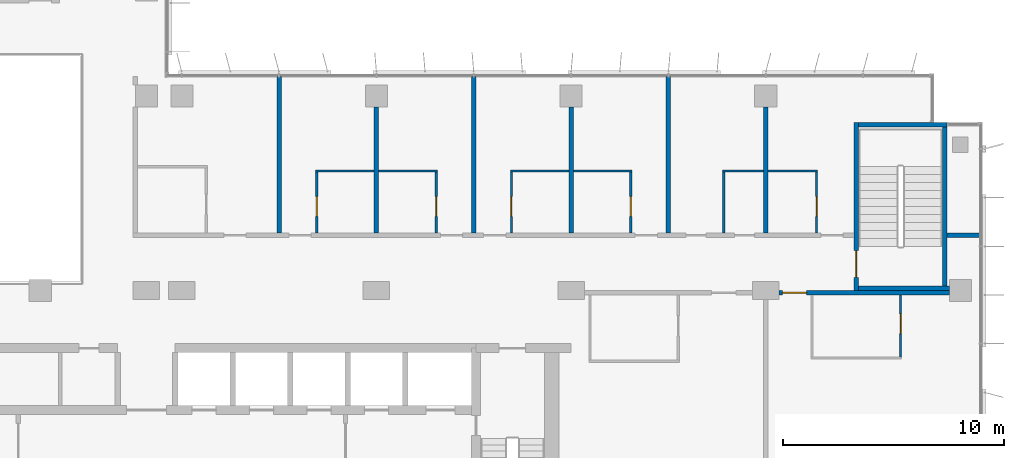
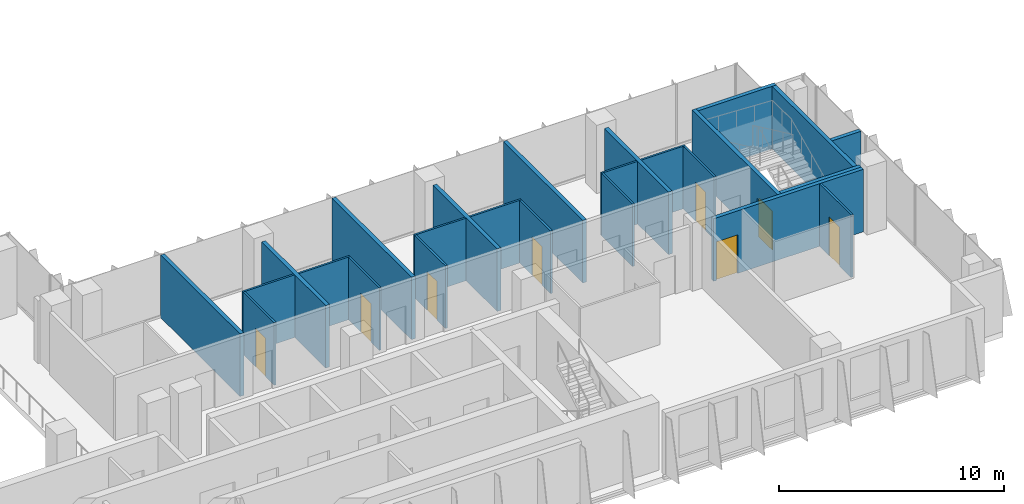
# One storey, part 15 of 21: 25 walls, 8 doors, 8 openings.
"""IFC4 building model written with IfcOpenShell, lengths in metres."""

from ifc_helpers import new_model, si_unit, direction, frame, frame_2d, origin, place, context, subcontext, project, spatial, rectangle, extrude, material, layer, layer_set, type_object, element, fill, save


model = new_model("IFC4")

# Units and contexts
model_context = context("Model", 3, precision=1e-05, world=origin(), true_north=direction((0.0, 1.0)))
body_context = subcontext(model_context, "Body", "Model", "MODEL_VIEW")
ifc_project = project(units=[si_unit("LENGTHUNIT", "METRE"), si_unit("AREAUNIT", "SQUARE_METRE"), si_unit("VOLUMEUNIT", "CUBIC_METRE"), si_unit("PLANEANGLEUNIT", "RADIAN"), si_unit("MASSUNIT", "GRAM", prefix="KILO")], contexts=[model_context])

# Site, building, storey
site_placement = place(None, origin())
site = spatial("IfcSite", under=ifc_project, at=site_placement, CompositionType="ELEMENT")
building_placement = place(site_placement, origin())
building = spatial("IfcBuilding", under=site, at=building_placement, Name="Kemantara Hotel Tower", CompositionType="ELEMENT")
storey_placement = place(building_placement, frame((0.0, 0.0, 215.39990234375)))
storey = spatial("IfcBuildingStorey", under=building, at=storey_placement, Name="L53", CompositionType="ELEMENT", Elevation=215.39990234375)

# Wall, opening, door
ifc_material_1 = material(Name="Gypsum board partition, steel studs and mineral wool, 200 mm", Category="steel")
ifc_layer_1 = layer(ifc_material_1, 0.199951171875)
ifc_layer_set_1 = layer_set([ifc_layer_1], Name="Gypsum board partition, steel studs and mineral wool, 200 mm")
wall_type_1 = type_object("IfcWallType", Name="CORRIDOR WALL 200", PredefinedType="PARTITIONING", material=ifc_layer_set_1)
wall_1_placement = place(storey_placement, frame((62.099853515625, 12.10009765625, 0.0), z_axis=(0.0, 0.0, 1.0), x_axis=(-1.0, 0.0, 0.0)))
wall_1 = element("IfcWall", 1, at=wall_1_placement, inside=storey, type_object=wall_type_1, Name="CORRIDOR WALL 200 002", PredefinedType="PARTITIONING", context=body_context, shape_type="SweptSolid", body=[
    extrude(rectangle(XDim=7.69970703125, YDim=0.199951171875, at=frame_2d((3.849853515625, 0.0))), origin(), (0.0, 0.0, 1.0), 3.400146484375),
])
opening_1_placement = place(wall_1_placement, frame((6.449951171875, 0.0, 0.0)))
opening_1 = element("IfcOpeningElement", 2, at=opening_1_placement, cuts=wall_1, Name="Opening F26-003", PredefinedType="OPENING", context=body_context, shape_type="SweptSolid", body=[
    extrude(rectangle(XDim=1.10009765625, YDim=2.10009765625, at=frame_2d((0.550048828125, 1.050048828125))), frame((0.0, 0.10986328125, 0.0), z_axis=(0.0, -1.0, 0.0), x_axis=(1.0, 0.0, 0.0)), (0.0, 0.0, 1.0), 0.219970703125),
])
ifc_material_2 = material(Name="Hardwood veneer door leaf with steel frame", Category="steel")
door_type_1 = type_object("IfcDoorType", Name="SUITE ENTRANCE DOOR 1100 X 2100 FD30S", OperationType="NOTDEFINED", PredefinedType="DOOR", material=ifc_material_2)
door_1_placement = place(opening_1_placement, origin())
door_1 = element("IfcDoor", 3, at=door_1_placement, inside=storey, type_object=door_type_1, Name="SUITE ENTRANCE DOOR F26-003", OperationType="SINGLE_SWING_LEFT", OverallHeight=2.10009765625, OverallWidth=1.10009765625, PredefinedType="DOOR", context=body_context, shape_type="SweptSolid", body=[
    extrude(rectangle(XDim=1.10009765625, YDim=2.10009765625, at=frame_2d((0.550048828125, 1.050048828125))), frame((0.0, 0.02490234375, 0.0), z_axis=(0.0, -1.0, 0.0), x_axis=(1.0, 0.0, 0.0)), (0.0, 0.0, 1.0), 0.050048828125),
])
fill(opening_1, door_1)

# Wall
wall_2_placement = place(storey_placement, frame((62.0, 14.699951171875, 0.0), z_axis=(0.0, 0.0, 1.0), x_axis=(1.0, 0.0, 0.0)))
element("IfcWall", 4, at=wall_2_placement, inside=storey, type_object=wall_type_1, Name="CORRIDOR WALL 200 006", PredefinedType="PARTITIONING", context=body_context, shape_type="SweptSolid", body=[
    extrude(rectangle(XDim=1.47998046875, YDim=0.199951171875, at=frame_2d((0.739990234375, 0.0))), origin(), (0.0, 0.0, 1.0), 3.400146484375),
])

# Wall, opening, door
ifc_material_3 = material(Name="Concrete fc 40 MPa", Category="concrete")
ifc_layer_2 = layer(ifc_material_3, 0.199951171875)
ifc_layer_set_2 = layer_set([ifc_layer_2], Name="Concrete fc 40 MPa")
wall_type_2 = type_object("IfcWallType", Name="Concrete stair wall 200 mm", PredefinedType="SHEAR", material=ifc_layer_set_2)
wall_3_placement = place(storey_placement, frame((57.89990234375, 12.199951171875, 0.0), z_axis=(0.0, 0.0, 1.0), x_axis=(0.0, 1.0, 0.0)))
wall_3 = element("IfcWall", 5, at=wall_3_placement, inside=storey, type_object=wall_type_2, Name="Stair ST3 enclosure wall with door", PredefinedType="SHEAR", context=body_context, shape_type="SweptSolid", body=[
    extrude(rectangle(XDim=7.60009765625, YDim=0.199951171875, at=frame_2d((3.800048828125, 0.0))), origin(), (0.0, 0.0, 1.0), 3.400146484375),
])
opening_2_placement = place(wall_3_placement, frame((0.60009765625, 0.0, 0.0)))
opening_2 = element("IfcOpeningElement", 6, at=opening_2_placement, cuts=wall_3, Name="Opening ST3-C", PredefinedType="OPENING", context=body_context, shape_type="SweptSolid", body=[
    extrude(rectangle(XDim=1.199951171875, YDim=2.10009765625, at=frame_2d((0.60009765625, 1.050048828125))), frame((0.0, 0.10986328125, 0.0), z_axis=(0.0, -1.0, 0.0), x_axis=(1.0, 0.0, 0.0)), (0.0, 0.0, 1.0), 0.219970703125),
])
ifc_material_4 = material(Name="Steel fire door", Category="steel")
door_type_2 = type_object("IfcDoorType", Name="Fire door FD90 1200 x 2100", OperationType="NOTDEFINED", PredefinedType="DOOR", material=ifc_material_4)
door_2_placement = place(opening_2_placement, frame((1.199951171875, 0.0, 0.0), z_axis=(0.0, 0.0, 1.0), x_axis=(-1.0, 0.0, 0.0)))
door_2 = element("IfcDoor", 7, at=door_2_placement, inside=storey, type_object=door_type_2, Name="Stair ST3 door", OperationType="SINGLE_SWING_RIGHT", OverallHeight=2.10009765625, OverallWidth=1.199951171875, PredefinedType="DOOR", context=body_context, shape_type="SweptSolid", body=[
    extrude(rectangle(XDim=1.199951171875, YDim=2.10009765625, at=frame_2d((0.60009765625, 1.050048828125))), frame((0.0, 0.02490234375, 0.0), z_axis=(0.0, -1.0, 0.0), x_axis=(1.0, 0.0, 0.0)), (0.0, 0.0, 1.0), 0.050048828125),
])
fill(opening_2, door_2)

# Walls
wall_4_placement = place(storey_placement, frame((58.0, 19.699951171875, 0.0), z_axis=(0.0, 0.0, 1.0), x_axis=(1.0, 0.0, 0.0)))
element("IfcWall", 8, at=wall_4_placement, inside=storey, type_object=wall_type_2, Name="Stair ST3 enclosure wall N", PredefinedType="SHEAR", context=body_context, shape_type="SweptSolid", body=[
    extrude(rectangle(XDim=4.0, YDim=0.199951171875, at=frame_2d((2.0, 0.0))), origin(), (0.0, 0.0, 1.0), 3.400146484375),
])
wall_5_placement = place(storey_placement, frame((58.0, 12.300048828125, 0.0), z_axis=(0.0, 0.0, 1.0), x_axis=(1.0, 0.0, 0.0)))
element("IfcWall", 9, at=wall_5_placement, inside=storey, type_object=wall_type_2, Name="Stair ST3 enclosure wall S", PredefinedType="SHEAR", context=body_context, shape_type="SweptSolid", body=[
    extrude(rectangle(XDim=4.10009765625, YDim=0.199951171875, at=frame_2d((2.050048828125, 0.0))), origin(), (0.0, 0.0, 1.0), 3.400146484375),
])
wall_6_placement = place(storey_placement, frame((61.89990234375, 12.39990234375, 0.0), z_axis=(0.0, 0.0, 1.0), x_axis=(0.0, 1.0, 0.0)))
element("IfcWall", 10, at=wall_6_placement, inside=storey, type_object=wall_type_2, Name="Stair ST3 enclosure wall E", PredefinedType="SHEAR", context=body_context, shape_type="SweptSolid", body=[
    extrude(rectangle(XDim=7.2001953125, YDim=0.199951171875, at=frame_2d((3.60009765625, 0.0))), origin(), (0.0, 0.0, 1.0), 3.400146484375),
])
ifc_layer_3 = layer(ifc_material_1, 0.199951171875)
ifc_layer_set_3 = layer_set([ifc_layer_3], Name="Gypsum board partition, steel studs and mineral wool, 200 mm")
wall_type_3 = type_object("IfcWallType", Name="GUEST ROOM PARTY WALL 200", PredefinedType="PARTITIONING", material=ifc_layer_set_3)
wall_7_placement = place(storey_placement, frame((53.800048828125, 14.800048828125, 0.0), z_axis=(0.0, 0.0, 1.0), x_axis=(0.0, 1.0, 0.0)))
element("IfcWall", 11, at=wall_7_placement, inside=storey, type_object=wall_type_3, Name="GUEST ROOM PARTY WALL 200 004", PredefinedType="PARTITIONING", context=body_context, shape_type="SweptSolid", body=[
    extrude(rectangle(XDim=5.699951171875, YDim=0.199951171875, at=frame_2d((2.85009765625, 0.0))), origin(), (0.0, 0.0, 1.0), 3.400146484375),
])
wall_8_placement = place(storey_placement, frame((31.800048828125, 14.800048828125, 0.0), z_axis=(0.0, 0.0, 1.0), x_axis=(0.0, 1.0, 0.0)))
element("IfcWall", 12, at=wall_8_placement, inside=storey, type_object=wall_type_3, Name="GUEST ROOM PARTY WALL 200 009", PredefinedType="PARTITIONING", context=body_context, shape_type="SweptSolid", body=[
    extrude(rectangle(XDim=7.070068359375, YDim=0.199951171875, at=frame_2d((3.53515625, 0.0))), origin(), (0.0, 0.0, 1.0), 3.400146484375),
])
wall_9_placement = place(storey_placement, frame((36.199951171875, 14.800048828125, 0.0), z_axis=(0.0, 0.0, 1.0), x_axis=(0.0, 1.0, 0.0)))
element("IfcWall", 13, at=wall_9_placement, inside=storey, type_object=wall_type_3, Name="GUEST ROOM PARTY WALL 200 010", PredefinedType="PARTITIONING", context=body_context, shape_type="SweptSolid", body=[
    extrude(rectangle(XDim=5.699951171875, YDim=0.199951171875, at=frame_2d((2.85009765625, 0.0))), origin(), (0.0, 0.0, 1.0), 3.400146484375),
])
wall_10_placement = place(storey_placement, frame((40.60009765625, 14.800048828125, 0.0), z_axis=(0.0, 0.0, 1.0), x_axis=(0.0, 1.0, 0.0)))
element("IfcWall", 14, at=wall_10_placement, inside=storey, type_object=wall_type_3, Name="GUEST ROOM PARTY WALL 200 011", PredefinedType="PARTITIONING", context=body_context, shape_type="SweptSolid", body=[
    extrude(rectangle(XDim=7.070068359375, YDim=0.199951171875, at=frame_2d((3.53515625, 0.0))), origin(), (0.0, 0.0, 1.0), 3.400146484375),
])
wall_11_placement = place(storey_placement, frame((45.0, 14.800048828125, 0.0), z_axis=(0.0, 0.0, 1.0), x_axis=(0.0, 1.0, 0.0)))
element("IfcWall", 15, at=wall_11_placement, inside=storey, type_object=wall_type_3, Name="GUEST ROOM PARTY WALL 200 012", PredefinedType="PARTITIONING", context=body_context, shape_type="SweptSolid", body=[
    extrude(rectangle(XDim=5.699951171875, YDim=0.199951171875, at=frame_2d((2.85009765625, 0.0))), origin(), (0.0, 0.0, 1.0), 3.400146484375),
])
wall_12_placement = place(storey_placement, frame((49.39990234375, 14.800048828125, 0.0), z_axis=(0.0, 0.0, 1.0), x_axis=(0.0, 1.0, 0.0)))
element("IfcWall", 16, at=wall_12_placement, inside=storey, type_object=wall_type_3, Name="GUEST ROOM PARTY WALL 200 013", PredefinedType="PARTITIONING", context=body_context, shape_type="SweptSolid", body=[
    extrude(rectangle(XDim=7.070068359375, YDim=0.199951171875, at=frame_2d((3.53515625, 0.0))), origin(), (0.0, 0.0, 1.0), 3.400146484375),
])

# Wall, opening, door
ifc_material_5 = material(Name="Gypsum board partition on steel studs, 100 mm", Category="steel")
ifc_layer_4 = layer(ifc_material_5, 0.10009765625)
ifc_layer_set_4 = layer_set([ifc_layer_4], Name="Gypsum board partition on steel studs, 100 mm")
wall_type_4 = type_object("IfcWallType", Name="ROOM PARTITION 100", PredefinedType="PARTITIONING", material=ifc_layer_set_4)
wall_13_placement = place(storey_placement, frame((59.89990234375, 9.199951171875, 0.0), z_axis=(0.0, 0.0, 1.0), x_axis=(0.0, 1.0, 0.0)))
wall_13 = element("IfcWall", 17, at=wall_13_placement, inside=storey, type_object=wall_type_4, Name="ROOM PARTITION 100 039", PredefinedType="PARTITIONING", context=body_context, shape_type="SweptSolid", body=[
    extrude(rectangle(XDim=2.800048828125, YDim=0.10009765625, at=frame_2d((1.39990234375, 0.0))), origin(), (0.0, 0.0, 1.0), 3.400146484375),
])
opening_3_placement = place(wall_13_placement, frame((1.050048828125, 0.0, 0.0)))
opening_3 = element("IfcOpeningElement", 18, at=opening_3_placement, cuts=wall_13, Name="Opening F26-004", PredefinedType="OPENING", context=body_context, shape_type="SweptSolid", body=[
    extrude(rectangle(XDim=0.89990234375, YDim=2.10009765625, at=frame_2d((0.449951171875, 1.050048828125))), frame((0.0, 0.06005859375, 0.0), z_axis=(0.0, -1.0, 0.0), x_axis=(1.0, 0.0, 0.0)), (0.0, 0.0, 1.0), 0.1201171875),
])
door_type_3 = type_object("IfcDoorType", Name="BATHROOM DOOR 900 X 2100", OperationType="NOTDEFINED", PredefinedType="DOOR", material=ifc_material_2)
door_3_placement = place(opening_3_placement, origin())
door_3 = element("IfcDoor", 19, at=door_3_placement, inside=storey, type_object=door_type_3, Name="BATHROOM DOOR F26-004", OperationType="SINGLE_SWING_RIGHT", OverallHeight=2.10009765625, OverallWidth=0.89990234375, PredefinedType="DOOR", context=body_context, shape_type="SweptSolid", body=[
    extrude(rectangle(XDim=0.89990234375, YDim=2.10009765625, at=frame_2d((0.449951171875, 1.050048828125))), frame((0.0, 0.02490234375, 0.0), z_axis=(0.0, -1.0, 0.0), x_axis=(1.0, 0.0, 0.0)), (0.0, 0.0, 1.0), 0.050048828125),
])
fill(opening_3, door_3)

# Walls
wall_14_placement = place(storey_placement, frame((33.449951171875, 17.60009765625, 0.0), z_axis=(0.0, 0.0, 1.0), x_axis=(1.0, 0.0, 0.0)))
element("IfcWall", 20, at=wall_14_placement, inside=storey, type_object=wall_type_4, Name="ROOM PARTITION 100 042", PredefinedType="PARTITIONING", context=body_context, shape_type="SweptSolid", body=[
    extrude(rectangle(XDim=2.650146484375, YDim=0.10009765625, at=frame_2d((1.3251953125, 0.0))), origin(), (0.0, 0.0, 1.0), 3.400146484375),
])
for number, where, z_axis, x_axis, name in (
    (21, (36.300048828125, 17.60009765625, 0.0), (0.0, 0.0, 1.0), (1.0, 0.0, 0.0), "ROOM PARTITION 100 043"),
    (22, (42.25, 17.60009765625, 0.0), (0.0, 0.0, 1.0), (1.0, 0.0, 0.0), "ROOM PARTITION 100 044"),
    (23, (45.10009765625, 17.60009765625, 0.0), (0.0, 0.0, 1.0), (1.0, 0.0, 0.0), "ROOM PARTITION 100 045"),
):
    element("IfcWall", number, at=place(storey_placement, frame(where, z_axis=z_axis, x_axis=x_axis)), inside=storey, type_object=wall_type_4, Name=name, PredefinedType="PARTITIONING", context=body_context, shape_type="SweptSolid", body=[
        extrude(rectangle(XDim=2.64990234375, YDim=0.10009765625, at=frame_2d((1.324951171875, 0.0))), origin(), (0.0, 0.0, 1.0), 3.400146484375),
    ])
wall_15_placement = place(storey_placement, frame((51.85009765625, 17.60009765625, 0.0), z_axis=(0.0, 0.0, 1.0), x_axis=(1.0, 0.0, 0.0)))
element("IfcWall", 24, at=wall_15_placement, inside=storey, type_object=wall_type_4, Name="ROOM PARTITION 100 046", PredefinedType="PARTITIONING", context=body_context, shape_type="SweptSolid", body=[
    extrude(rectangle(XDim=1.849853515625, YDim=0.10009765625, at=frame_2d((0.9248046875, 0.0))), origin(), (0.0, 0.0, 1.0), 3.400146484375),
])
wall_16_placement = place(storey_placement, frame((53.89990234375, 17.60009765625, 0.0), z_axis=(0.0, 0.0, 1.0), x_axis=(1.0, 0.0, 0.0)))
element("IfcWall", 25, at=wall_16_placement, inside=storey, type_object=wall_type_4, Name="ROOM PARTITION 100 047", PredefinedType="PARTITIONING", context=body_context, shape_type="SweptSolid", body=[
    extrude(rectangle(XDim=2.25, YDim=0.10009765625, at=frame_2d((1.125, 0.0))), origin(), (0.0, 0.0, 1.0), 3.400146484375),
])

# Wall, opening, door
wall_17_placement = place(storey_placement, frame((33.5, 17.550048828125, 0.0), z_axis=(0.0, 0.0, 1.0), x_axis=(0.0, -1.0, 0.0)))
wall_17 = element("IfcWall", 26, at=wall_17_placement, inside=storey, type_object=wall_type_4, Name="ROOM PARTITION 100 048", PredefinedType="PARTITIONING", context=body_context, shape_type="SweptSolid", body=[
    extrude(rectangle(XDim=2.75, YDim=0.10009765625, at=frame_2d((1.375, 0.0))), origin(), (0.0, 0.0, 1.0), 3.400146484375),
])
opening_4_placement = place(wall_17_placement, frame((1.10009765625, 0.0, 0.0)))
opening_4 = element("IfcOpeningElement", 27, at=opening_4_placement, cuts=wall_17, Name="Opening F26-008", PredefinedType="OPENING", context=body_context, shape_type="SweptSolid", body=[
    extrude(rectangle(XDim=0.89990234375, YDim=2.10009765625, at=frame_2d((0.449951171875, 1.050048828125))), frame((0.0, 0.06005859375, 0.0), z_axis=(0.0, -1.0, 0.0), x_axis=(1.0, 0.0, 0.0)), (0.0, 0.0, 1.0), 0.1201171875),
])
door_4_placement = place(opening_4_placement, origin())
door_4 = element("IfcDoor", 28, at=door_4_placement, inside=storey, type_object=door_type_3, Name="BATHROOM DOOR F26-008", OperationType="SINGLE_SWING_RIGHT", OverallHeight=2.10009765625, OverallWidth=0.89990234375, PredefinedType="DOOR", context=body_context, shape_type="SweptSolid", body=[
    extrude(rectangle(XDim=0.89990234375, YDim=2.10009765625, at=frame_2d((0.449951171875, 1.050048828125))), frame((0.0, 0.02490234375, 0.0), z_axis=(0.0, -1.0, 0.0), x_axis=(1.0, 0.0, 0.0)), (0.0, 0.0, 1.0), 0.050048828125),
])
fill(opening_4, door_4)

wall_18_placement = place(storey_placement, frame((38.89990234375, 14.800048828125, 0.0), z_axis=(0.0, 0.0, 1.0), x_axis=(0.0, 1.0, 0.0)))
wall_18 = element("IfcWall", 29, at=wall_18_placement, inside=storey, type_object=wall_type_4, Name="ROOM PARTITION 100 049", PredefinedType="PARTITIONING", context=body_context, shape_type="SweptSolid", body=[
    extrude(rectangle(XDim=2.75, YDim=0.10009765625, at=frame_2d((1.375, 0.0))), origin(), (0.0, 0.0, 1.0), 3.400146484375),
])
opening_5_placement = place(wall_18_placement, frame((0.75, 0.0, 0.0)))
opening_5 = element("IfcOpeningElement", 30, at=opening_5_placement, cuts=wall_18, Name="Opening F26-010", PredefinedType="OPENING", context=body_context, shape_type="SweptSolid", body=[
    extrude(rectangle(XDim=0.89990234375, YDim=2.10009765625, at=frame_2d((0.449951171875, 1.050048828125))), frame((0.0, 0.06005859375, 0.0), z_axis=(0.0, -1.0, 0.0), x_axis=(1.0, 0.0, 0.0)), (0.0, 0.0, 1.0), 0.1201171875),
])
door_5_placement = place(opening_5_placement, origin())
door_5 = element("IfcDoor", 31, at=door_5_placement, inside=storey, type_object=door_type_3, Name="BATHROOM DOOR F26-010", OperationType="SINGLE_SWING_LEFT", OverallHeight=2.10009765625, OverallWidth=0.89990234375, PredefinedType="DOOR", context=body_context, shape_type="SweptSolid", body=[
    extrude(rectangle(XDim=0.89990234375, YDim=2.10009765625, at=frame_2d((0.449951171875, 1.050048828125))), frame((0.0, 0.02490234375, 0.0), z_axis=(0.0, -1.0, 0.0), x_axis=(1.0, 0.0, 0.0)), (0.0, 0.0, 1.0), 0.050048828125),
])
fill(opening_5, door_5)

wall_19_placement = place(storey_placement, frame((42.300048828125, 17.550048828125, 0.0), z_axis=(0.0, 0.0, 1.0), x_axis=(0.0, -1.0, 0.0)))
wall_19 = element("IfcWall", 32, at=wall_19_placement, inside=storey, type_object=wall_type_4, Name="ROOM PARTITION 100 050", PredefinedType="PARTITIONING", context=body_context, shape_type="SweptSolid", body=[
    extrude(rectangle(XDim=2.75, YDim=0.10009765625, at=frame_2d((1.375, 0.0))), origin(), (0.0, 0.0, 1.0), 3.400146484375),
])
opening_6_placement = place(wall_19_placement, frame((1.10009765625, 0.0, 0.0)))
opening_6 = element("IfcOpeningElement", 33, at=opening_6_placement, cuts=wall_19, Name="Opening F26-012", PredefinedType="OPENING", context=body_context, shape_type="SweptSolid", body=[
    extrude(rectangle(XDim=0.89990234375, YDim=2.10009765625, at=frame_2d((0.449951171875, 1.050048828125))), frame((0.0, 0.06005859375, 0.0), z_axis=(0.0, -1.0, 0.0), x_axis=(1.0, 0.0, 0.0)), (0.0, 0.0, 1.0), 0.1201171875),
])
door_6_placement = place(opening_6_placement, origin())
door_6 = element("IfcDoor", 34, at=door_6_placement, inside=storey, type_object=door_type_3, Name="BATHROOM DOOR F26-012", OperationType="SINGLE_SWING_RIGHT", OverallHeight=2.10009765625, OverallWidth=0.89990234375, PredefinedType="DOOR", context=body_context, shape_type="SweptSolid", body=[
    extrude(rectangle(XDim=0.89990234375, YDim=2.10009765625, at=frame_2d((0.449951171875, 1.050048828125))), frame((0.0, 0.02490234375, 0.0), z_axis=(0.0, -1.0, 0.0), x_axis=(1.0, 0.0, 0.0)), (0.0, 0.0, 1.0), 0.050048828125),
])
fill(opening_6, door_6)

wall_20_placement = place(storey_placement, frame((47.699951171875, 14.800048828125, 0.0), z_axis=(0.0, 0.0, 1.0), x_axis=(0.0, 1.0, 0.0)))
wall_20 = element("IfcWall", 35, at=wall_20_placement, inside=storey, type_object=wall_type_4, Name="ROOM PARTITION 100 051", PredefinedType="PARTITIONING", context=body_context, shape_type="SweptSolid", body=[
    extrude(rectangle(XDim=2.75, YDim=0.10009765625, at=frame_2d((1.375, 0.0))), origin(), (0.0, 0.0, 1.0), 3.400146484375),
])
opening_7_placement = place(wall_20_placement, frame((0.75, 0.0, 0.0)))
opening_7 = element("IfcOpeningElement", 36, at=opening_7_placement, cuts=wall_20, Name="Opening F26-014", PredefinedType="OPENING", context=body_context, shape_type="SweptSolid", body=[
    extrude(rectangle(XDim=0.89990234375, YDim=2.10009765625, at=frame_2d((0.449951171875, 1.050048828125))), frame((0.0, 0.06005859375, 0.0), z_axis=(0.0, -1.0, 0.0), x_axis=(1.0, 0.0, 0.0)), (0.0, 0.0, 1.0), 0.1201171875),
])
door_7_placement = place(opening_7_placement, origin())
door_7 = element("IfcDoor", 37, at=door_7_placement, inside=storey, type_object=door_type_3, Name="BATHROOM DOOR F26-014", OperationType="SINGLE_SWING_LEFT", OverallHeight=2.10009765625, OverallWidth=0.89990234375, PredefinedType="DOOR", context=body_context, shape_type="SweptSolid", body=[
    extrude(rectangle(XDim=0.89990234375, YDim=2.10009765625, at=frame_2d((0.449951171875, 1.050048828125))), frame((0.0, 0.02490234375, 0.0), z_axis=(0.0, -1.0, 0.0), x_axis=(1.0, 0.0, 0.0)), (0.0, 0.0, 1.0), 0.050048828125),
])
fill(opening_7, door_7)

# Wall
wall_21_placement = place(storey_placement, frame((51.89990234375, 14.800048828125, 0.0), z_axis=(0.0, 0.0, 1.0), x_axis=(0.0, 1.0, 0.0)))
element("IfcWall", 38, at=wall_21_placement, inside=storey, type_object=wall_type_4, Name="ROOM PARTITION 100 052", PredefinedType="PARTITIONING", context=body_context, shape_type="SweptSolid", body=[
    extrude(rectangle(XDim=2.75, YDim=0.10009765625, at=frame_2d((1.375, 0.0))), origin(), (0.0, 0.0, 1.0), 3.400146484375),
])

# Wall, opening, door
wall_22_placement = place(storey_placement, frame((56.10009765625, 14.800048828125, 0.0), z_axis=(0.0, 0.0, 1.0), x_axis=(0.0, 1.0, 0.0)))
wall_22 = element("IfcWall", 39, at=wall_22_placement, inside=storey, type_object=wall_type_4, Name="ROOM PARTITION 100 053", PredefinedType="PARTITIONING", context=body_context, shape_type="SweptSolid", body=[
    extrude(rectangle(XDim=2.75, YDim=0.10009765625, at=frame_2d((1.375, 0.0))), origin(), (0.0, 0.0, 1.0), 3.400146484375),
])
opening_8_placement = place(wall_22_placement, frame((0.75, 0.0, 0.0)))
opening_8 = element("IfcOpeningElement", 40, at=opening_8_placement, cuts=wall_22, Name="Opening F26-018", PredefinedType="OPENING", context=body_context, shape_type="SweptSolid", body=[
    extrude(rectangle(XDim=0.89990234375, YDim=2.10009765625, at=frame_2d((0.449951171875, 1.050048828125))), frame((0.0, 0.06005859375, 0.0), z_axis=(0.0, -1.0, 0.0), x_axis=(1.0, 0.0, 0.0)), (0.0, 0.0, 1.0), 0.1201171875),
])
door_8_placement = place(opening_8_placement, origin())
door_8 = element("IfcDoor", 41, at=door_8_placement, inside=storey, type_object=door_type_3, Name="BATHROOM DOOR F26-018", OperationType="SINGLE_SWING_LEFT", OverallHeight=2.10009765625, OverallWidth=0.89990234375, PredefinedType="DOOR", context=body_context, shape_type="SweptSolid", body=[
    extrude(rectangle(XDim=0.89990234375, YDim=2.10009765625, at=frame_2d((0.449951171875, 1.050048828125))), frame((0.0, 0.02490234375, 0.0), z_axis=(0.0, -1.0, 0.0), x_axis=(1.0, 0.0, 0.0)), (0.0, 0.0, 1.0), 0.050048828125),
])
fill(opening_8, door_8)

save(model, "model.ifc")
